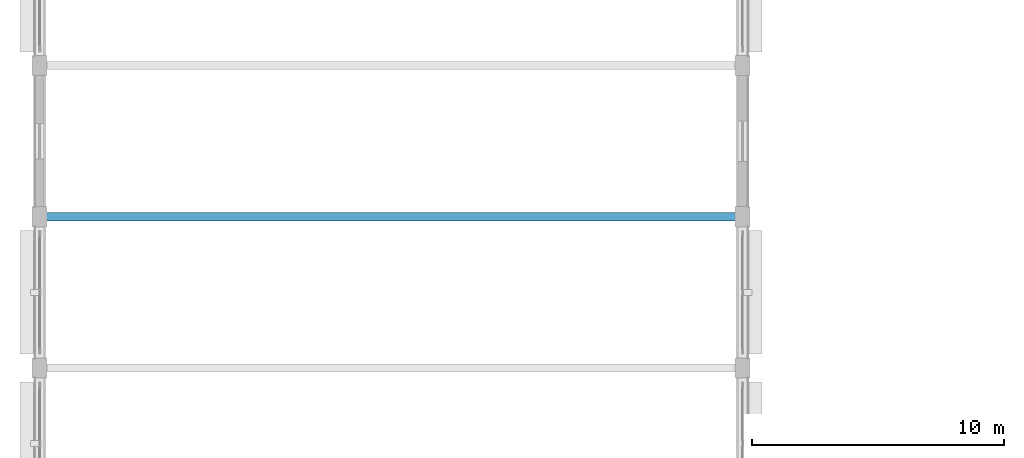
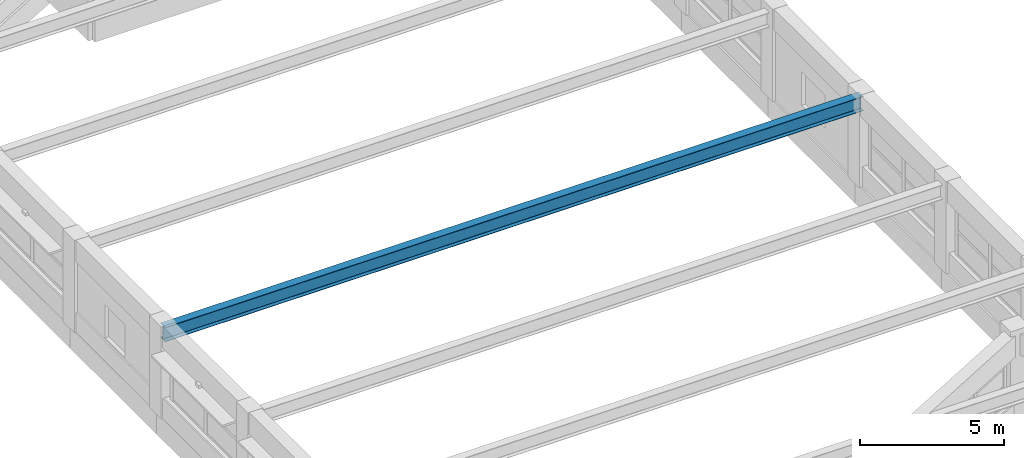
# One storey, part 11 of 108: 1 beam.
"""IFC4 building model written with IfcOpenShell, lengths in metres."""

from ifc_helpers import new_model, si_unit, direction, frame, origin, origin_2d, place, context, subcontext, project, spatial, i_section, extrude, material, material_profile, profile_set, type_object, element, save


model = new_model("IFC4")

# Units and contexts
model_context = context("Model", 3, precision=1e-05, world=origin(), true_north=direction((0.0, 1.0)))
body_context = subcontext(model_context, "Body", "Model", "MODEL_VIEW")
ifc_project = project(units=[si_unit("LENGTHUNIT", "METRE"), si_unit("AREAUNIT", "SQUARE_METRE"), si_unit("VOLUMEUNIT", "CUBIC_METRE"), si_unit("PLANEANGLEUNIT", "RADIAN"), si_unit("MASSUNIT", "GRAM", prefix="KILO")], contexts=[model_context])

# Site, building, storey
site_placement = place(None, origin())
site = spatial("IfcSite", under=ifc_project, at=site_placement, CompositionType="ELEMENT")
building_placement = place(site_placement, origin())
building = spatial("IfcBuilding", under=site, at=building_placement, Name="Vespera Passage Community Centre", CompositionType="ELEMENT")
storey_placement = place(building_placement, frame((0.0, 0.0, 12.60009765625)))
storey = spatial("IfcBuildingStorey", under=building, at=storey_placement, Name="L03", CompositionType="ELEMENT", Elevation=12.60009765625)

# Beam
ifc_material = material(Name="Steel ASTM A992 Grade 50", Category="steel")
ifc_material_profile = material_profile(ifc_material, i_section(OverallWidth=0.323974609375, OverallDepth=0.611083984375, WebThickness=0.0126953125, FlangeThickness=0.01904296875, FilletRadius=0.0126953125, at=origin_2d()), Name="W24X104")
ifc_profile_set = profile_set([ifc_material_profile], Name="Steel ASTM A992 Grade 50")
beam_type = type_object("IfcBeamType", Name="BM-G-W24X104", PredefinedType="BEAM", material=ifc_profile_set)
beam_placement = place(storey_placement, frame((4.050048828125, 25.0, 3.314453125), z_axis=(1.0, 0.0, 0.0), x_axis=(0.0, 1.0, 0.0)))
element("IfcBeam", 1, at=beam_placement, inside=storey, type_object=beam_type, Name="Main Hall Vault Thrust Tie 4", PredefinedType="BEAM", context=body_context, shape_type="SweptSolid", body=[
    extrude(i_section(OverallWidth=0.323974609375, OverallDepth=0.611083984375, WebThickness=0.0126953125, FlangeThickness=0.01904296875, FilletRadius=0.0126953125, at=origin_2d()), origin(), (0.0, 0.0, 1.0), 27.89990234375),
])

save(model, "model.ifc")
